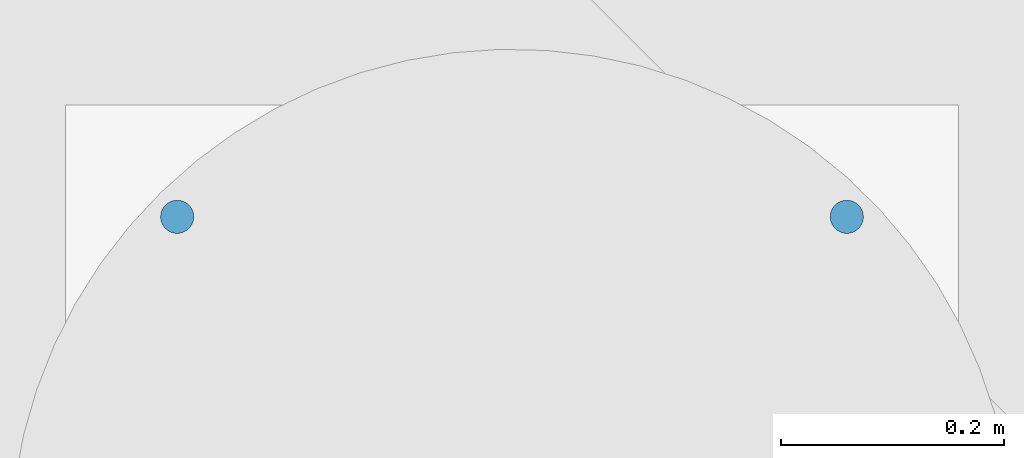
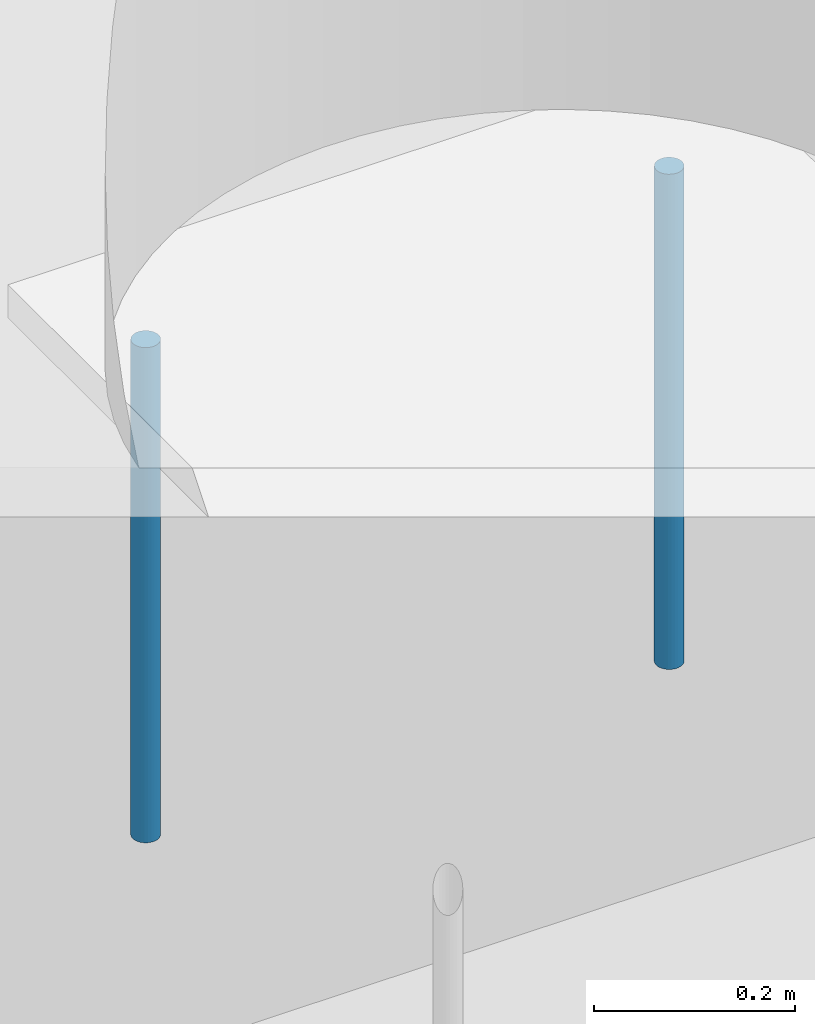
# One storey, part 17 of 28: 2 discrete accessories.
"""IFC4 building model written with IfcOpenShell, lengths in metres."""

from ifc_helpers import new_model, si_unit, direction, frame, origin, origin_2d, place, context, subcontext, project, spatial, circle, extrude, element, save


model = new_model("IFC4")

# Units and contexts
model_context = context("Model", 3, precision=1e-05, world=origin(), true_north=direction((0.0, 1.0)))
body_context = subcontext(model_context, "Body", "Model", "MODEL_VIEW")
ifc_project = project(units=[si_unit("LENGTHUNIT", "METRE"), si_unit("AREAUNIT", "SQUARE_METRE"), si_unit("VOLUMEUNIT", "CUBIC_METRE"), si_unit("PLANEANGLEUNIT", "RADIAN"), si_unit("MASSUNIT", "GRAM", prefix="KILO")], contexts=[model_context])

# Site, building, storey
site_placement = place(None, origin())
site = spatial("IfcSite", under=ifc_project, at=site_placement, CompositionType="ELEMENT")
building_placement = place(site_placement, origin())
building = spatial("IfcBuilding", under=site, at=building_placement, Name="Tabaq Tower and Sports Hall", CompositionType="ELEMENT")
storey_placement = place(building_placement, frame((0.0, 0.0, 233.5)))
storey = spatial("IfcBuildingStorey", under=building, at=storey_placement, Name="L59", CompositionType="ELEMENT", Elevation=233.5)

# Discrete accessories
for number, where, z_axis, x_axis, name in (
    (1, (30.0, 8.39990234375, 1.60009765625), (0.0, 0.0, -1.0), (1.0, 0.0, 0.0), "Wind Turbine 3 Anchor Bolt 3"),
    (2, (29.39990234375, 8.39990234375, 1.60009765625), (0.0, 0.0, -1.0), (1.0, 0.0, 0.0), "Wind Turbine 3 Anchor Bolt 4"),
):
    element("IfcDiscreteAccessory", number, at=place(storey_placement, frame(where, z_axis=z_axis, x_axis=x_axis)), inside=storey, Name=name, PredefinedType="NOTDEFINED", context=body_context, shape_type="SweptSolid", body=[
        extrude(circle(Radius=0.014892578125, at=origin_2d()), origin(), (0.0, 0.0, 1.0), 0.60009765625),
    ])

save(model, "model.ifc")
